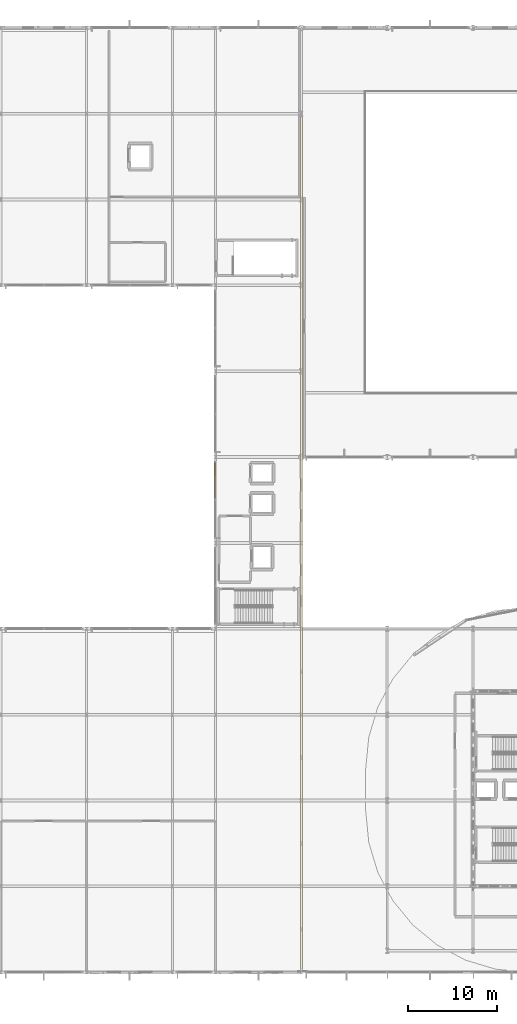
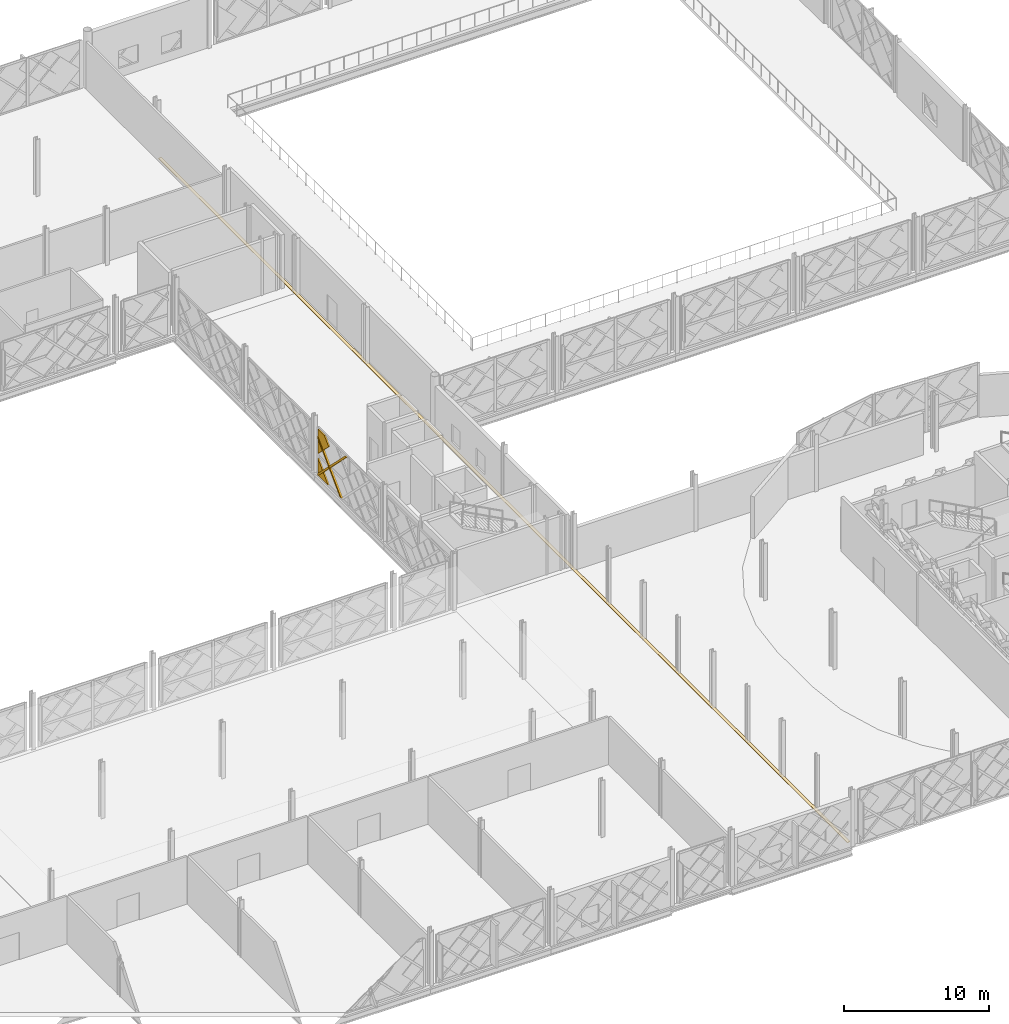
# One storey, part 62 of 77: 5 coverings.
"""IFC4 building model written with IfcOpenShell, lengths in metres."""

from ifc_helpers import new_model, si_unit, direction, frame, origin, place, context, subcontext, project, spatial, polyline, outline, extrude, material, layer, layer_set, type_object, element, save


model = new_model("IFC4")

# Units and contexts
model_context = context("Model", 3, precision=1e-05, world=origin(), true_north=direction((0.0, 1.0)))
body_context = subcontext(model_context, "Body", "Model", "MODEL_VIEW")
ifc_project = project(units=[si_unit("LENGTHUNIT", "METRE"), si_unit("AREAUNIT", "SQUARE_METRE"), si_unit("VOLUMEUNIT", "CUBIC_METRE"), si_unit("PLANEANGLEUNIT", "RADIAN"), si_unit("MASSUNIT", "GRAM", prefix="KILO")], contexts=[model_context])

# Site, building, storey
site_placement = place(None, origin())
site = spatial("IfcSite", under=ifc_project, at=site_placement, CompositionType="ELEMENT")
building_placement = place(site_placement, origin())
building = spatial("IfcBuilding", under=site, at=building_placement, Name="Zevrakil Square Congress Hotel", CompositionType="ELEMENT")
storey_placement = place(building_placement, frame((0.0, 0.0, 9.89990234375)))
storey = spatial("IfcBuildingStorey", under=building, at=storey_placement, Name="L03", CompositionType="ELEMENT", Elevation=9.89990234375)

# Coverings
ifc_material_1 = material(Name="Architectural White Fibre-C GRC", Category="concrete")
ifc_layer_1 = layer(ifc_material_1, 0.06494140625)
ifc_layer_set_1 = layer_set([ifc_layer_1], Name="Architectural White Fibre-C GRC")
covering_type_1 = type_object("IfcCoveringType", Name="COV-DIA-WHITE", PredefinedType="CLADDING", material=ifc_layer_set_1)
covering_1_placement = place(storey_placement, frame((107.905029296875, 62.77001953125, 0.080078125), z_axis=(-0.999999760125, 0.0, 0.000692640526), x_axis=(0.0, 1.0, 0.0)))
element("IfcCovering", 1, at=covering_1_placement, inside=storey, type_object=covering_type_1, Name="L03 45-degree white GRC diamond facade cassette 1826", PredefinedType="CLADDING", context=body_context, shape_type="SweptSolid", body=[
    extrude(outline(polyline([(0.0, 0.0), (1.409912109375, 0.0), (1.409912109375, -1.4099124475784228), (0.0, 0.0)])), origin(), (0.0, 0.0, -1.0), 0.1201171875),
])
covering_2_placement = place(storey_placement, frame((107.906982421875, 62.68994140625, 3.360107421875), z_axis=(-0.999999736408, 4.315951e-05, 0.00072479006), x_axis=(-0.00048198565, 0.70710670617, -0.707106691935)))
element("IfcCovering", 2, at=covering_2_placement, inside=storey, type_object=covering_type_1, Name="L03 45-degree white GRC diamond facade cassette 1829", PredefinedType="CLADDING", context=body_context, shape_type="SweptSolid", body=[
    extrude(outline(polyline([(0.0, 0.0), (2.107164623187832, 0.0), (0.6399520580835327, -1.4672122541428614), (-2.2701733171093252e-07, -0.8272598344501885), (0.0, 0.0)])), origin(), (0.0, 0.0, -1.0), 0.1201171875),
])
ifc_material_2 = material(Name="Anodised Champagne Aluminium", Category="aluminium")
ifc_layer_2 = layer(ifc_material_2, 0.0849609375)
ifc_layer_set_2 = layer_set([ifc_layer_2], Name="Anodised Champagne Aluminium")
covering_type_2 = type_object("IfcCoveringType", Name="COV-DIAGRID-45", PredefinedType="MOLDING", material=ifc_layer_set_2)
covering_3_placement = place(storey_placement, frame((107.8798828125, 64.093994140625, 0.080078125), z_axis=(-0.999999413235, 0.000391272362, 0.001010166072), x_axis=(0.000391272162, 0.999999923453, -3.9525e-07)))
element("IfcCovering", 3, at=covering_3_placement, inside=storey, type_object=covering_type_2, Name="L03 45-degree aluminium diagrid rib 1831", PredefinedType="MOLDING", context=body_context, shape_type="SweptSolid", body=[
    extrude(outline(polyline([(0.0, 0.0), (0.0859374934217393, 4.549493369041652e-24), (0.08593753905842463, -0.12622088534752607), (-3.6528323240199994, -3.864990728613538), (-3.8649905109049185, -3.864990728613538), (0.0, 0.0)])), origin(), (0.0, 0.0, -1.0), 0.14501953125),
])
covering_4_placement = place(storey_placement, frame((107.8818359375, 64.179931640625, 3.154052734375), z_axis=(-0.999999562652, -0.000248952361, 0.00090150864), x_axis=(0.000901508683, -6.2049e-08, 0.999999593641)))
element("IfcCovering", 4, at=covering_4_placement, inside=storey, type_object=covering_type_2, Name="L03 45-degree aluminium diagrid rib 1834", PredefinedType="MOLDING", context=body_context, shape_type="SweptSolid", body=[
    extrude(outline(polyline([(0.0, 0.0), (0.21215833700749018, 0.0), (-3.0739749170969763, -3.2861331050685156), (-3.073974930276236, -3.073730767900576), (0.0, 0.0)])), origin(), (0.0, 0.0, -1.0), 0.14501953125),
])
ifc_material_3 = material(Name="Honed Addis Basalt Stone Flooring", Category="masonry")
ifc_layer_3 = layer(ifc_material_3, 0.030029296875)
ifc_layer_set_3 = layer_set([ifc_layer_3], Name="Honed Addis Basalt Stone Flooring")
covering_type_3 = type_object("IfcCoveringType", Name="COV-FLOR-BASALT-030", PredefinedType="FLOORING", material=ifc_layer_set_3)
covering_5_placement = place(storey_placement, origin())
element("IfcCovering", 5, at=covering_5_placement, inside=storey, type_object=covering_type_3, Name="L03 flush movement-joint floor cover plate 10", PredefinedType="FLOORING", context=body_context, shape_type="SweptSolid", body=[
    extrude(outline(polyline([(117.47998046875, 7.60009765625), (117.719970703125, 7.60009765625), (117.719970703125, 102.800048828125), (117.47998046875, 102.800048828125), (117.47998046875, 7.60009765625)])), origin(), (0.0, 0.0, 1.0), 0.030029296875),
])

save(model, "model.ifc")
